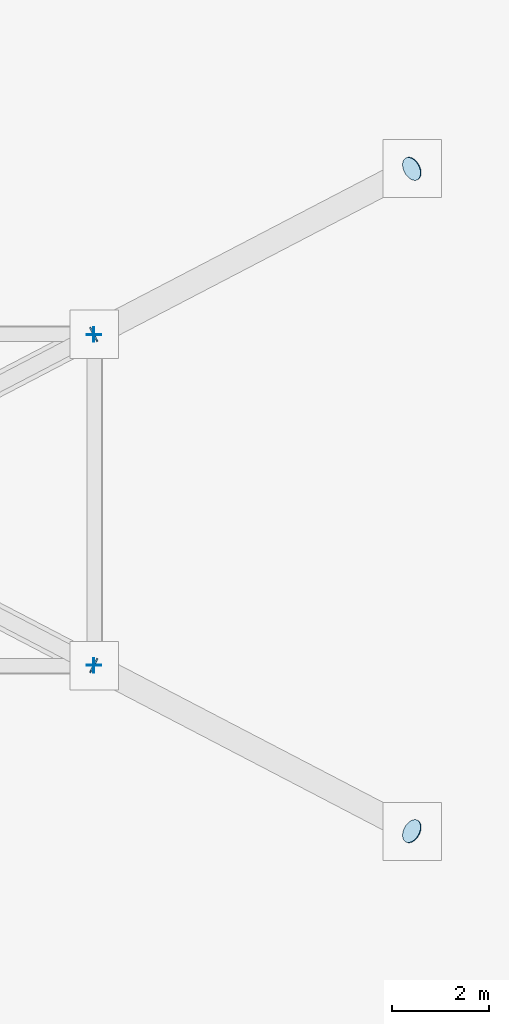
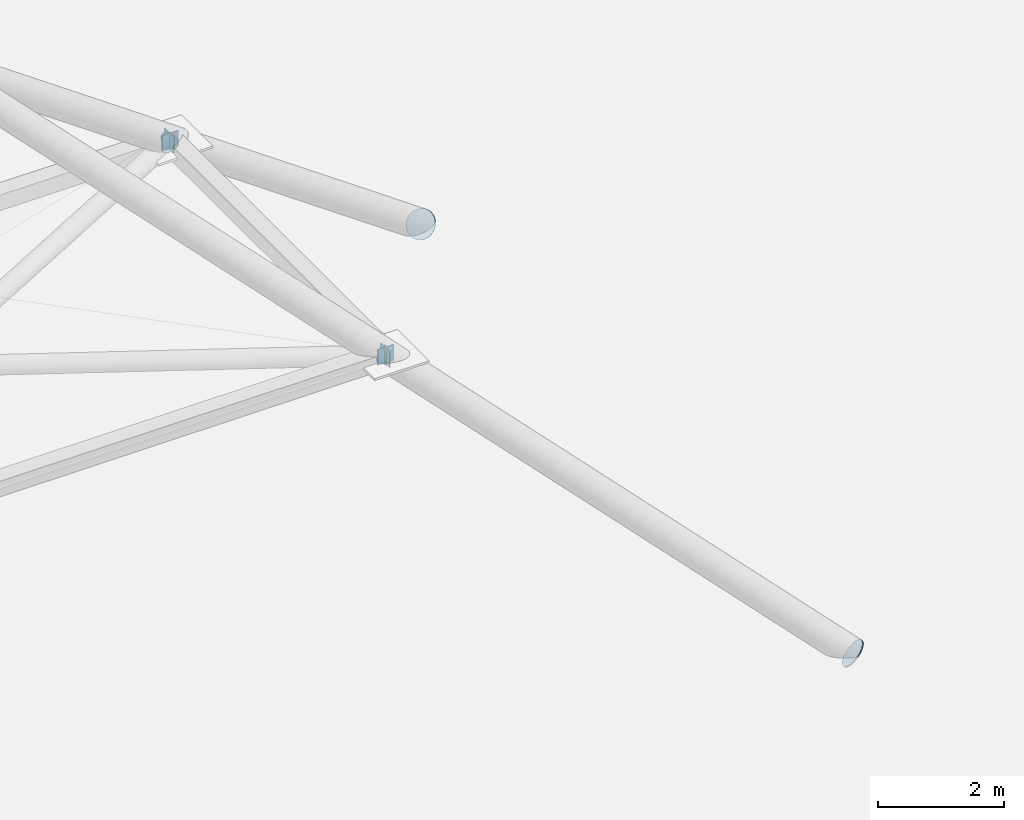
# One storey, part 6 of 8: 8 plates.
"""IFC4 building model written with IfcOpenShell, lengths in metres."""

import ifcopenshell
import ifcopenshell.guid

model = None  # the IFC model being written
_history = None  # IfcOwnerHistory: only IFC2X3 demands one
_inside = {}  # id of a spatial element -> (the spatial element, [elements in it])
_under = {}  # id of a project, library or spatial element -> (it, [spatial elements below it])
_declared = {}  # id of a project -> (the project, [libraries it declares])
_typed = {}  # id of a type object -> (the type object, [elements of that type])
_made_of = {}  # id of a material, layer set ... -> (it, [elements and type objects made of it])


def new_model(schema):
    """Start an empty IFC model of exactly this schema.

    Asked for "IFC4X3", IfcOpenShell would pick the latest addendum, in which some entities
    have other attributes; the version numbers below select the first issue.
    IFC2X3 requires an IfcOwnerHistory on every rooted entity: one is made here for all.
    """
    global model, _history
    if schema == "IFC4X3":
        model = ifcopenshell.file(schema_version=(4, 3, 0, 0))
    else:
        model = ifcopenshell.file(schema=schema)
    _inside.clear()
    _under.clear()
    _declared.clear()
    _typed.clear()
    _made_of.clear()
    _history = None
    if model.schema == "IFC2X3":
        org = make("IfcOrganization", Name="unknown")
        user = make(
            "IfcPersonAndOrganization",
            ThePerson=make("IfcPerson", FamilyName="unknown"),
            TheOrganization=org,
        )
        app = make(
            "IfcApplication",
            ApplicationDeveloper=org,
            Version="unknown",
            ApplicationFullName="unknown",
            ApplicationIdentifier="unknown",
        )
        _history = make(
            "IfcOwnerHistory",
            OwningUser=user,
            OwningApplication=app,
            ChangeAction="ADDED",
            CreationDate=0,
        )
    return model


def make(cls, **values):
    """One entity of the class cls with the attributes given. An attribute that is None is left unset."""
    return model.create_entity(
        cls, **{name: value for name, value in values.items() if value is not None}
    )


def rooted(cls, **values):
    """An entity with a GlobalId (a new one), such as an element, a storey or a relation."""
    return make(cls, GlobalId=ifcopenshell.guid.new(), OwnerHistory=_history, **values)


def si_unit(unit_type, name, prefix=None):
    """IfcSIUnit, for example si_unit("LENGTHUNIT", "METRE", prefix="MILLI")."""
    return make("IfcSIUnit", UnitType=unit_type, Prefix=prefix, Name=name)


def assignment(units):
    """IfcUnitAssignment: the units of a project."""
    return None if units is None else make("IfcUnitAssignment", Units=units)


def point(xyz):
    """IfcCartesianPoint."""
    return None if xyz is None else make("IfcCartesianPoint", Coordinates=xyz)


def direction(xyz):
    """IfcDirection."""
    return None if xyz is None else make("IfcDirection", DirectionRatios=xyz)


def frame(location, z_axis=None, x_axis=None):
    """IfcAxis2Placement3D, a coordinate frame: its origin and axes. An axis left out is left unset."""
    return make(
        "IfcAxis2Placement3D",
        Location=point(location),
        Axis=direction(z_axis),
        RefDirection=direction(x_axis),
    )


def frame_2d(location, x_axis=None):
    """IfcAxis2Placement2D, a coordinate frame in the plane: its origin and x axis."""
    return make(
        "IfcAxis2Placement2D", Location=point(location), RefDirection=direction(x_axis)
    )


def origin():
    """The frame at (0, 0, 0) with its axes left unset."""
    return frame((0.0, 0.0, 0.0))


def origin_2d():
    """The frame at (0, 0) in the plane with its x axis left unset."""
    return frame_2d((0.0, 0.0))


def place(relative_to, where):
    """IfcLocalPlacement: puts the frame where relative to a parent placement (None: the world)."""
    return make(
        "IfcLocalPlacement", PlacementRelTo=relative_to, RelativePlacement=where
    )


def context(
    kind, dimensions, precision=None, world=None, true_north=None, identifier=None
):
    """IfcGeometricRepresentationContext, for example the 3D "Model" context."""
    return make(
        "IfcGeometricRepresentationContext",
        ContextIdentifier=identifier,
        ContextType=kind,
        CoordinateSpaceDimension=dimensions,
        Precision=precision,
        WorldCoordinateSystem=world,
        TrueNorth=true_north,
    )


def subcontext(parent, identifier, kind, view, scale=None):
    """IfcGeometricRepresentationSubContext, for example "Body" below "Model"."""
    return make(
        "IfcGeometricRepresentationSubContext",
        ContextIdentifier=identifier,
        ContextType=kind,
        ParentContext=parent,
        TargetScale=scale,
        TargetView=view,
    )


def project(units=None, contexts=None):
    """IfcProject with its units and contexts."""
    return rooted(
        "IfcProject",
        Name="project",
        RepresentationContexts=contexts,
        UnitsInContext=assignment(units),
    )


def spatial(cls, under=None, at=None, **own):
    """A site, building, storey or space (cls), placed at a placement, below another one or the project."""
    s = rooted(cls, ObjectPlacement=at, **own)
    if under is not None:
        _under.setdefault(under.id(), (under, []))[1].append(s)
    return s


def profile(cls, at=None, kind="AREA", **sizes):
    """A parametric profile (cls). Its sizes go by their IFC names, for example OverallWidth=200.0."""
    return make(cls, ProfileType=kind, Position=at, **sizes)


def rectangle(**sizes):
    """IfcRectangleProfileDef."""
    return profile("IfcRectangleProfileDef", **sizes)


def circle(**sizes):
    """IfcCircleProfileDef."""
    return profile("IfcCircleProfileDef", **sizes)


def extrude(swept, where, along, depth):
    """IfcExtrudedAreaSolid: the profile swept, set in the frame where, extruded along a direction by depth."""
    return make(
        "IfcExtrudedAreaSolid",
        SweptArea=swept,
        Position=where,
        ExtrudedDirection=direction(along),
        Depth=depth,
    )


def shape(context_of_items, identifier, shape_type, items):
    """IfcShapeRepresentation: the items that make up one representation, for example the "Body"."""
    return make(
        "IfcShapeRepresentation",
        ContextOfItems=context_of_items,
        RepresentationIdentifier=identifier,
        RepresentationType=shape_type,
        Items=items,
    )


def material(Name=None, Category=None):
    """IfcMaterial."""
    return make("IfcMaterial", Name=Name, Category=Category)


def layer(
    of_material, thickness, ventilated=None, Name=None, Category=None, Priority=None
):
    """IfcMaterialLayer: one layer of a wall or slab, of a material (None: an air gap)."""
    return make(
        "IfcMaterialLayer",
        Material=of_material,
        LayerThickness=thickness,
        IsVentilated=ventilated,
        Name=Name,
        Category=Category,
        Priority=Priority,
    )


def layer_set(layers, Name=None):
    """IfcMaterialLayerSet."""
    return make("IfcMaterialLayerSet", MaterialLayers=layers, LayerSetName=Name)


def made_of(thing, what):
    """Note that an element or type object is made of a material, layer set ...; save() writes the relation."""
    if what is not None:
        _made_of.setdefault(what.id(), (what, []))[1].append(thing)
    return thing


def type_object(cls, material=None, **own):
    """A type object (cls), such as IfcWallType, which elements share."""
    return made_of(rooted(cls, **own), material)


def element(
    cls,
    number,
    at=None,
    inside=None,
    cuts=None,
    type_object=None,
    material=None,
    context=None,
    identifier="Body",
    shape_type=None,
    held_by="IfcProductDefinitionShape",
    body=None,
    shapes=None,
    **own,
):
    """One element of the class cls, such as IfcWall. Its Tag is "e" and its number.

    at: its placement. inside: the storey or other place that contains it. cuts: it is an
    opening in that element (IfcRelVoidsElement). A single representation is given by context,
    identifier, shape_type and body (its items); several are given by shapes. held_by: the class
    of the entity that holds the representations. save() writes the other relations.
    """
    e = rooted(cls, Tag="e%d" % number, ObjectPlacement=at, **own)
    if body is not None:
        shapes = [shape(context, identifier, shape_type, body)]
    if shapes is not None:
        e.Representation = make(held_by, Representations=shapes)
    if inside is not None:
        _inside.setdefault(inside.id(), (inside, []))[1].append(e)
    if cuts is not None:
        rooted(
            "IfcRelVoidsElement", RelatingBuildingElement=cuts, RelatedOpeningElement=e
        )
    if type_object is not None:
        _typed.setdefault(type_object.id(), (type_object, []))[1].append(e)
    return made_of(e, material)


def aggregate(whole, parts):
    """IfcRelAggregates: a whole, such as a stair, and the parts it consists of."""
    return rooted("IfcRelAggregates", RelatingObject=whole, RelatedObjects=parts)


def save(model, path):
    """Write the relations noted so far, then the file.

    IfcRelAggregates (storeys below a building ...), IfcRelContainedInSpatialStructure (elements
    in a storey), IfcRelDefinesByType, IfcRelAssociatesMaterial and IfcRelDeclares: one each for
    every whole, place, type object, material and project.
    """
    for whole, parts in _under.values():
        aggregate(whole, parts)
    for where, things in _inside.values():
        rooted(
            "IfcRelContainedInSpatialStructure",
            RelatedElements=things,
            RelatingStructure=where,
        )
    for kind, things in _typed.values():
        rooted("IfcRelDefinesByType", RelatedObjects=things, RelatingType=kind)
    for what, things in _made_of.values():
        rooted("IfcRelAssociatesMaterial", RelatedObjects=things, RelatingMaterial=what)
    for by, libraries in _declared.values():
        rooted("IfcRelDeclares", RelatingContext=by, RelatedDefinitions=libraries)
    model.write(path)


model = new_model("IFC4")

# Units and contexts
model_context = context("Model", 3, precision=1e-05, world=origin(), true_north=direction((0.0, 1.0)))
body_context = subcontext(model_context, "Body", "Model", "MODEL_VIEW")
ifc_project = project(units=[si_unit("LENGTHUNIT", "METRE"), si_unit("AREAUNIT", "SQUARE_METRE"), si_unit("VOLUMEUNIT", "CUBIC_METRE"), si_unit("PLANEANGLEUNIT", "RADIAN"), si_unit("MASSUNIT", "GRAM", prefix="KILO")], contexts=[model_context])

# Site, building, storey
site_placement = place(None, origin())
site = spatial("IfcSite", under=ifc_project, at=site_placement, CompositionType="ELEMENT")
building_placement = place(site_placement, origin())
building = spatial("IfcBuilding", under=site, at=building_placement, Name="Putna Gate Headquarters", CompositionType="ELEMENT")
storey_placement = place(building_placement, frame((0.0, 0.0, 320.39990234375)))
storey = spatial("IfcBuildingStorey", under=building, at=storey_placement, Name="RF", CompositionType="ELEMENT", Elevation=320.39990234375)

# Plates
ifc_material = material(Name="Steel S355J2", Category="steel")
ifc_layer_1 = layer(ifc_material, 0.02001953125)
ifc_layer_set_1 = layer_set([ifc_layer_1], Name="Steel S355J2")
plate_type_1 = type_object("IfcPlateType", Name="PLT-CAP-EC-C324", PredefinedType="SHEET", material=ifc_layer_set_1)
for number, where, z_axis, x_axis, name in (
    (1, (45.574951171875, 29.425048828125, 5.987548828125), (-0.884384752847, -0.466758619558, 0.0), (0.466758619558, -0.884384752847, 0.0), "Needle Spire Radial Brace SD-1 3 End Cap Start"),
    (2, (45.574951171875, 22.574951171875, 5.987548828125), (-0.884384752847, 0.466758619558, 0.0), (-0.466758619558, -0.884384752847, 0.0), "Needle Spire Radial Brace SD-1 4 End Cap Start"),
):
    element("IfcPlate", number, at=place(storey_placement, frame(where, z_axis=z_axis, x_axis=x_axis)), inside=storey, type_object=plate_type_1, Name=name, PredefinedType="SHEET", context=body_context, shape_type="SweptSolid", body=[
        extrude(circle(Radius=0.161865234375, at=origin_2d()), origin(), (0.0, 0.0, 1.0), 0.019775390625),
    ])
ifc_layer_2 = layer(ifc_material, 0.02001953125)
ifc_layer_set_2 = layer_set([ifc_layer_2], Name="Steel S355J2")
plate_type_2 = type_object("IfcPlateType", Name="PLT-CAP-EC-C508", PredefinedType="SHEET", material=ifc_layer_set_2)
for number, where, z_axis, x_axis, name in (
    (3, (52.14990234375, 19.14990234375, -0.014892578125), (-0.682115751988, 0.365419152851, 0.633393198274), (-0.472221412515, -0.881479970029, 0.0), "Needle Spire Raking Leg SL-1 SE End Cap Start"),
    (4, (52.14990234375, 32.85009765625, -0.014892578125), (-0.682115751988, -0.365419152851, 0.633393198274), (0.472221412515, -0.881479970029, 0.0), "Needle Spire Raking Leg SL-1 NE End Cap Start"),
):
    element("IfcPlate", number, at=place(storey_placement, frame(where, z_axis=z_axis, x_axis=x_axis)), inside=storey, type_object=plate_type_2, Name=name, PredefinedType="SHEET", context=body_context, shape_type="SweptSolid", body=[
        extrude(circle(Radius=0.25390625, at=origin_2d()), origin(), (0.0, 0.0, 1.0), 0.02001953125),
    ])
ifc_layer_3 = layer(ifc_material, 0.02001953125)
ifc_layer_set_3 = layer_set([ifc_layer_3], Name="Steel S355J2")
plate_type_3 = type_object("IfcPlateType", Name="PLT-CAP-EC-S300", PredefinedType="SHEET", material=ifc_layer_set_3)
for number, where, z_axis, x_axis, name in (
    (5, (45.554931640625, 29.425048828125, 5.987548828125), (1.0, 0.0, 0.0), (0.0, 1.0, 0.0), "Needle Spire Mid Ring Chord SR-1 2 End Cap End"),
    (6, (45.574951171875, 29.425048828125, 5.987548828125), (0.0, -1.0, 0.0), (1.0, 0.0, 0.0), "Needle Spire Mid Ring Chord SR-1 3 End Cap Start"),
    (7, (45.574951171875, 22.594970703125, 5.987548828125), (0.0, -1.0, 0.0), (1.0, 0.0, 0.0), "Needle Spire Mid Ring Chord SR-1 3 End Cap End"),
    (8, (45.574951171875, 22.574951171875, 5.987548828125), (-1.0, 0.0, 0.0), (0.0, -1.0, 0.0), "Needle Spire Mid Ring Chord SR-1 4 End Cap Start"),
):
    element("IfcPlate", number, at=place(storey_placement, frame(where, z_axis=z_axis, x_axis=x_axis)), inside=storey, type_object=plate_type_3, Name=name, PredefinedType="SHEET", context=body_context, shape_type="SweptSolid", body=[
        extrude(rectangle(XDim=0.300048828125, YDim=0.300048828125, at=origin_2d()), origin(), (0.0, 0.0, 1.0), 0.02001953125),
    ])

save(model, "model.ifc")
